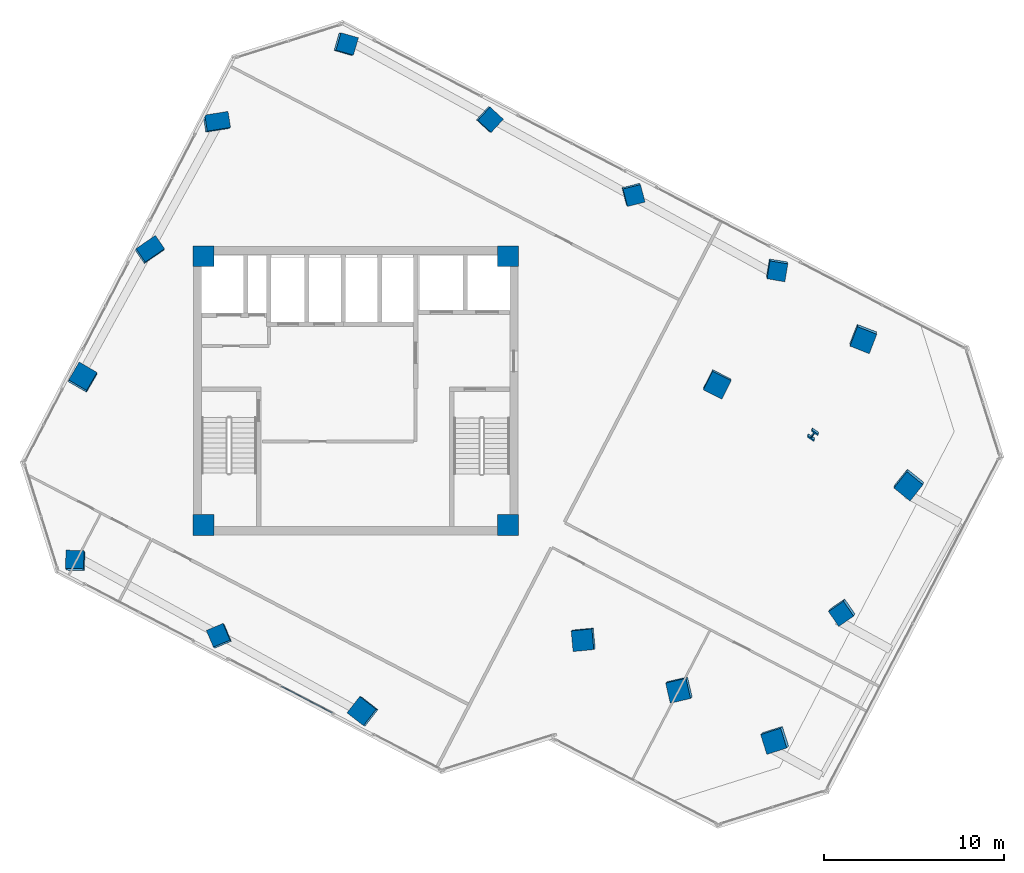
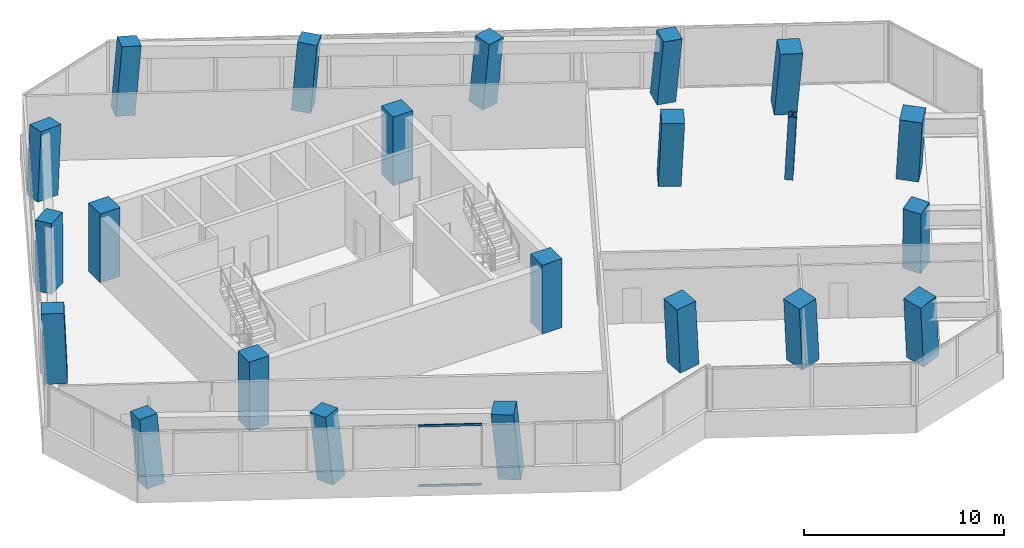
# One storey, part 1 of 22: 22 columns, 2 members, 1 element without a shape of its own.
"""IFC4 building model written with IfcOpenShell, lengths in metres."""

from ifc_helpers import new_model, si_unit, direction, frame, origin, origin_2d, place, context, subcontext, project, spatial, rectangle, hollow_rectangle, i_section, extrude, clip, halfspace, source, transform, mapped, material, material_profile, profile_set, type_object, element, aggregate, save


model = new_model("IFC4")

# Units and contexts
model_context = context("Model", 3, precision=1e-05, world=origin(), true_north=direction((0.0, 1.0)))
body_context = subcontext(model_context, "Body", "Model", "MODEL_VIEW")
ifc_project = project(units=[si_unit("LENGTHUNIT", "METRE"), si_unit("AREAUNIT", "SQUARE_METRE"), si_unit("VOLUMEUNIT", "CUBIC_METRE"), si_unit("PLANEANGLEUNIT", "RADIAN"), si_unit("MASSUNIT", "GRAM", prefix="KILO")], contexts=[model_context])

# Site, building, storey
site_placement = place(None, origin())
site = spatial("IfcSite", under=ifc_project, at=site_placement, CompositionType="ELEMENT")
building_placement = place(site_placement, origin())
building = spatial("IfcBuilding", under=site, at=building_placement, Name="Torre Montelarca", CompositionType="ELEMENT")
storey_placement = place(building_placement, frame((0.0, 0.0, 170.800048828125)))
storey = spatial("IfcBuildingStorey", under=building, at=storey_placement, Name="L38", CompositionType="ELEMENT", Elevation=170.800048828125)

# Columns
ifc_material_1 = material(Name="Concrete C55/67", Category="concrete")
ifc_material_profile_1 = material_profile(ifc_material_1, rectangle(XDim=0.89990234375, YDim=1.300048828125, at=origin_2d()), Name="RC1300X900", Category="concrete")
ifc_profile_set_1 = profile_set([ifc_material_profile_1], Name="Concrete C55/67")
column_type_1 = type_object("IfcColumnType", Name="COL-PIL1300-EXT", PredefinedType="PILASTER", material=ifc_profile_set_1)
column_1_placement = place(storey_placement, frame((6.553955078125, 39.780517578125, 0.0), z_axis=(0.041114649956, 0.076901767806, 0.996190596054), x_axis=(0.565354465492, -0.823864675039, 0.040265687261)))
element("IfcColumn", 1, at=column_1_placement, inside=storey, type_object=column_type_1, Name="L38 Column 1W/E", PredefinedType="PILASTER", context=body_context, shape_type="Clipping", body=[
    clip(clip(extrude(rectangle(XDim=0.89990234375, YDim=1.300048828125, at=origin_2d()), origin(), (0.0, 0.0, 1.0), 4.216064453125), halfspace(frame((0.0, 0.0, 0.0693359375), z_axis=(0.0, 0.0, -1.0), x_axis=(1.0, 0.0, 0.0)), False)), halfspace(frame((0.0, 0.0, 4.146728515625), z_axis=(0.0, 0.0, 1.0), x_axis=(1.0, 0.0, 0.0)), False)),
])
column_2_placement = place(storey_placement, frame((10.247802734375, 46.876708984375, 0.0), z_axis=(0.077588163399, 0.057279852174, 0.995338683783), x_axis=(0.157076232166, -0.986581975739, 0.044531589179)))
element("IfcColumn", 2, at=column_2_placement, inside=storey, type_object=column_type_1, Name="L38 Column 1W/F", PredefinedType="PILASTER", context=body_context, shape_type="Clipping", body=[
    clip(clip(extrude(rectangle(XDim=0.89990234375, YDim=1.300048828125, at=origin_2d()), origin(), (0.0, 0.0, 1.0), 4.2197265625), halfspace(frame((0.0, 0.0, 0.07666015625), z_axis=(0.0, 0.0, -1.0), x_axis=(1.0, 0.0, 0.0)), False)), halfspace(frame((0.0, 0.0, 4.14306640625), z_axis=(0.0, 0.0, 1.0), x_axis=(1.0, 0.0, 0.0)), False)),
])
ifc_material_profile_2 = material_profile(ifc_material_1, rectangle(XDim=1.0, YDim=1.0, at=origin_2d()), Name="RC1000X1000", Category="concrete")
ifc_profile_set_2 = profile_set([ifc_material_profile_2], Name="Concrete C55/67")
column_type_2 = type_object("IfcColumnType", Name="COL-RC1000-EXT", PredefinedType="COLUMN", material=ifc_profile_set_2)
column_3_placement = place(storey_placement, frame((2.47021484375, 22.515380859375, 0.0), z_axis=(-0.04789818408, 0.098743059821, 0.993959542486), x_axis=(0.998381539794, -0.025812536987, 0.050675575318)))
element("IfcColumn", 3, at=column_3_placement, inside=storey, type_object=column_type_2, Name="L38 Column 2/CS", PredefinedType="COLUMN", context=body_context, shape_type="Clipping", body=[
    clip(clip(extrude(rectangle(XDim=1.0, YDim=1.0, at=origin_2d()), origin(), (0.0, 0.0, 1.0), 4.2255859375), halfspace(frame((0.0, 0.0, 0.0751953125), z_axis=(0.0, 0.0, -1.0), x_axis=(1.0, 0.0, 0.0)), False)), halfspace(frame((0.0, 0.0, 4.150390625), z_axis=(0.0, 0.0, 1.0), x_axis=(1.0, 0.0, 0.0)), False)),
])
column_4_placement = place(storey_placement, frame((17.407958984375, 51.210205078125, 0.0), z_axis=(0.099466506069, 0.020066789306, 0.994838548779), x_axis=(-0.274877965566, -0.960336826175, 0.046853861504)))
element("IfcColumn", 4, at=column_4_placement, inside=storey, type_object=column_type_2, Name="L38 Column 2/GN", PredefinedType="COLUMN", context=body_context, shape_type="Clipping", body=[
    clip(clip(extrude(rectangle(XDim=1.0, YDim=1.0, at=origin_2d()), origin(), (0.0, 0.0, 1.0), 4.2216796875), halfspace(frame((0.0, 0.0, 0.069580078125), z_axis=(0.0, 0.0, -1.0), x_axis=(1.0, 0.0, 0.0)), False)), halfspace(frame((0.0, 0.0, 4.152099609375), z_axis=(0.0, 0.0, 1.0), x_axis=(1.0, 0.0, 0.0)), False)),
])
column_5_placement = place(storey_placement, frame((10.453369140625, 18.359619140625, 0.0), z_axis=(-0.069930353767, 0.057889365701, 0.995870758161), x_axis=(0.919841956587, 0.390043080031, 0.041918619051)))
element("IfcColumn", 5, at=column_5_placement, inside=storey, type_object=column_type_2, Name="L38 Column 3/CS", PredefinedType="COLUMN", context=body_context, shape_type="Clipping", body=[
    clip(clip(extrude(rectangle(XDim=1.0, YDim=1.0, at=origin_2d()), origin(), (0.0, 0.0, 1.0), 4.21728515625), halfspace(frame((0.0, 0.0, 0.062255859375), z_axis=(0.0, 0.0, -1.0), x_axis=(1.0, 0.0, 0.0)), False)), halfspace(frame((0.0, 0.0, 4.155029296875), z_axis=(0.0, 0.0, 1.0), x_axis=(1.0, 0.0, 0.0)), False)),
])
column_6_placement = place(storey_placement, frame((25.39111328125, 47.05419921875, 0.0), z_axis=(0.07769866338, -0.020974583254, 0.996756231265), x_axis=(-0.675517121547, -0.736407253152, 0.037161485459)))
element("IfcColumn", 6, at=column_6_placement, inside=storey, type_object=column_type_2, Name="L38 Column 3/GN", PredefinedType="COLUMN", context=body_context, shape_type="Clipping", body=[
    clip(clip(extrude(rectangle(XDim=1.0, YDim=1.0, at=origin_2d()), origin(), (0.0, 0.0, 1.0), 4.213623046875), halfspace(frame((0.0, 0.0, 0.05517578125), z_axis=(0.0, 0.0, -1.0), x_axis=(1.0, 0.0, 0.0)), False)), halfspace(frame((0.0, 0.0, 4.158447265625), z_axis=(0.0, 0.0, 1.0), x_axis=(1.0, 0.0, 0.0)), False)),
])
column_7_placement = place(storey_placement, frame((33.3740234375, 42.898681640625, 0.0), z_axis=(0.055725496021, -0.062097434235, 0.996513210025), x_axis=(-0.96748864065, -0.2499629432, 0.038526059245)))
element("IfcColumn", 7, at=column_7_placement, inside=storey, type_object=column_type_2, Name="L38 Column 4/GN", PredefinedType="COLUMN", context=body_context, shape_type="Clipping", body=[
    clip(clip(extrude(rectangle(XDim=1.0, YDim=1.0, at=origin_2d()), origin(), (0.0, 0.0, 1.0), 4.214599609375), halfspace(frame((0.0, 0.0, 0.05712890625), z_axis=(0.0, 0.0, -1.0), x_axis=(1.0, 0.0, 0.0)), False)), halfspace(frame((0.0, 0.0, 4.157470703125), z_axis=(0.0, 0.0, 1.0), x_axis=(1.0, 0.0, 0.0)), False)),
])
column_8_placement = place(storey_placement, frame((41.357177734375, 38.742919921875, 0.0), z_axis=(0.03369013316, -0.102919600613, 0.994118972124), x_axis=(-0.985800109139, 0.160305053579, 0.050004345989)))
element("IfcColumn", 8, at=column_8_placement, inside=storey, type_object=column_type_2, Name="L38 Column 5/GN", PredefinedType="COLUMN", context=body_context, shape_type="Clipping", body=[
    clip(clip(extrude(rectangle(XDim=1.0, YDim=1.0, at=origin_2d()), origin(), (0.0, 0.0, 1.0), 4.224853515625), halfspace(frame((0.0, 0.0, 0.07421875), z_axis=(0.0, 0.0, -1.0), x_axis=(1.0, 0.0, 0.0)), False)), halfspace(frame((0.0, 0.0, 4.150634765625), z_axis=(0.0, 0.0, 1.0), x_axis=(1.0, 0.0, 0.0)), False)),
])
column_9_placement = place(storey_placement, frame((45.005859375, 19.763671875, 0.0), z_axis=(-0.064266651726, -0.120240832262, 0.990662374239), x_axis=(-0.566657550047, 0.821544902927, 0.062953899405)))
element("IfcColumn", 9, at=column_9_placement, inside=storey, type_object=column_type_2, Name="L38 Column 7/E", PredefinedType="COLUMN", context=body_context, shape_type="Clipping", body=[
    clip(clip(extrude(rectangle(XDim=1.0, YDim=1.0, at=origin_2d()), origin(), (0.0, 0.0, 1.0), 4.239501953125), halfspace(frame((0.0, 0.0, 0.093505859375), z_axis=(0.0, 0.0, -1.0), x_axis=(1.0, 0.0, 0.0)), False)), halfspace(frame((0.0, 0.0, 4.14599609375), z_axis=(0.0, 0.0, 1.0), x_axis=(1.0, 0.0, 0.0)), False)),
])
ifc_material_profile_3 = material_profile(ifc_material_1, rectangle(XDim=1.14990234375, YDim=1.14990234375, at=origin_2d()), Name="RC1150X1150", Category="concrete")
ifc_profile_set_3 = profile_set([ifc_material_profile_3], Name="Concrete C55/67")
column_type_3 = type_object("IfcColumnType", Name="COL-RC1150", PredefinedType="COLUMN", material=ifc_profile_set_3)
column_10_placement = place(storey_placement, frame((30.667724609375, 18.20849609375, 0.0), z_axis=(-0.071930787685, -0.046679722121, 0.996316699311), x_axis=(-0.096954290528, 0.99450093611, 0.039594868666)))
element("IfcColumn", 10, at=column_10_placement, inside=storey, type_object=column_type_3, Name="L38 Column 5/D", PredefinedType="COLUMN", context=body_context, shape_type="Clipping", body=[
    clip(clip(extrude(rectangle(XDim=1.14990234375, YDim=1.14990234375, at=origin_2d()), origin(), (0.0, 0.0, 1.0), 4.215576171875), halfspace(frame((0.0, 0.0, 0.0673828125), z_axis=(0.0, 0.0, -1.0), x_axis=(1.0, 0.0, 0.0)), False)), halfspace(frame((0.0, 0.0, 4.148193359375), z_axis=(0.0, 0.0, 1.0), x_axis=(1.0, 0.0, 0.0)), False)),
])
column_11_placement = place(storey_placement, frame((38.0556640625, 32.400634765625, 0.0), z_axis=(0.001100398588, -0.085657342736, 0.996324048068), x_axis=(-0.892847218174, 0.44861923, 0.039555422793)))
element("IfcColumn", 11, at=column_11_placement, inside=storey, type_object=column_type_3, Name="L38 Column 5/F", PredefinedType="COLUMN", context=body_context, shape_type="Clipping", body=[
    clip(clip(extrude(rectangle(XDim=1.14990234375, YDim=1.14990234375, at=origin_2d()), origin(), (0.0, 0.0, 1.0), 4.21533203125), halfspace(frame((0.0, 0.0, 0.0673828125), z_axis=(0.0, 0.0, -1.0), x_axis=(1.0, 0.0, 0.0)), False)), halfspace(frame((0.0, 0.0, 4.14794921875), z_axis=(0.0, 0.0, 1.0), x_axis=(1.0, 0.0, 0.0)), False)),
])
column_12_placement = place(storey_placement, frame((35.98974609375, 15.43798828125, 0.0), z_axis=(-0.086283669312, -0.073808921942, 0.993532773215), x_axis=(-0.227975249338, 0.972254300779, 0.052429574719)))
element("IfcColumn", 12, at=column_12_placement, inside=storey, type_object=column_type_3, Name="L38 Column 6/D", PredefinedType="COLUMN", context=body_context, shape_type="Clipping", body=[
    clip(clip(extrude(rectangle(XDim=1.14990234375, YDim=1.14990234375, at=origin_2d()), origin(), (0.0, 0.0, 1.0), 4.227294921875), halfspace(frame((0.0, 0.0, 0.08935546875), z_axis=(0.0, 0.0, -1.0), x_axis=(1.0, 0.0, 0.0)), False)), halfspace(frame((0.0, 0.0, 4.137939453125), z_axis=(0.0, 0.0, 1.0), x_axis=(1.0, 0.0, 0.0)), False)),
])
column_13_placement = place(storey_placement, frame((46.148193359375, 34.952392578125, 0.0), z_axis=(0.013836421614, -0.127179775337, 0.991783170951), x_axis=(-0.931338098159, 0.359332565542, 0.05907160281)))
element("IfcColumn", 13, at=column_13_placement, inside=storey, type_object=column_type_3, Name="L38 Column 6/G", PredefinedType="COLUMN", context=body_context, shape_type="Clipping", body=[
    clip(clip(extrude(rectangle(XDim=1.14990234375, YDim=1.14990234375, at=origin_2d()), origin(), (0.0, 0.0, 1.0), 4.23486328125), halfspace(frame((0.0, 0.0, 0.100830078125), z_axis=(0.0, 0.0, -1.0), x_axis=(1.0, 0.0, 0.0)), False)), halfspace(frame((0.0, 0.0, 4.134033203125), z_axis=(0.0, 0.0, 1.0), x_axis=(1.0, 0.0, 0.0)), False)),
])
ifc_material_profile_4 = material_profile(ifc_material_1, rectangle(XDim=1.14990234375, YDim=1.14990234375, at=origin_2d()), Name="RC1150X1150", Category="concrete")
ifc_profile_set_4 = profile_set([ifc_material_profile_4], Name="Concrete C55/67")
column_type_4 = type_object("IfcColumnType", Name="COL-RC1150-EXT", PredefinedType="COLUMN", material=ifc_profile_set_4)
column_14_placement = place(storey_placement, frame((18.4365234375, 14.203857421875, 0.0), z_axis=(-0.091848266599, 0.016841742647, 0.995630579898), x_axis=(0.612171305094, 0.789548693959, 0.043117897532)))
element("IfcColumn", 14, at=column_14_placement, inside=storey, type_object=column_type_4, Name="L38 Column 4/CS", PredefinedType="COLUMN", context=body_context, shape_type="Clipping", body=[
    clip(clip(extrude(rectangle(XDim=1.14990234375, YDim=1.14990234375, at=origin_2d()), origin(), (0.0, 0.0, 1.0), 4.21826171875), halfspace(frame((0.0, 0.0, 0.073486328125), z_axis=(0.0, 0.0, -1.0), x_axis=(1.0, 0.0, 0.0)), False)), halfspace(frame((0.0, 0.0, 4.144775390625), z_axis=(0.0, 0.0, 1.0), x_axis=(1.0, 0.0, 0.0)), False)),
])
for number, where, z_axis, x_axis, name in (
    (15, (41.311767578125, 12.66748046875, 0.0), (-0.100518365868, -0.100748516677, 0.989821092173), (-0.305115855174, 0.950045198756, 0.065714802304), "L38 Column 7/D"),
    (16, (48.69970703125, 26.859619140625, 0.0), (-0.027905885377, -0.139529426887, 0.989824631232), (-0.780150773, 0.622131682142, 0.065703435697), "L38 Column 7/F"),
):
    element("IfcColumn", number, at=place(storey_placement, frame(where, z_axis=z_axis, x_axis=x_axis)), inside=storey, type_object=column_type_4, Name=name, PredefinedType="COLUMN", context=body_context, shape_type="Clipping", body=[
        clip(clip(extrude(rectangle(XDim=1.14990234375, YDim=1.14990234375, at=origin_2d()), origin(), (0.0, 0.0, 1.0), 4.2431640625), halfspace(frame((0.0, 0.0, 0.1123046875), z_axis=(0.0, 0.0, -1.0), x_axis=(1.0, 0.0, 0.0)), False)), halfspace(frame((0.0, 0.0, 4.130859375), z_axis=(0.0, 0.0, 1.0), x_axis=(1.0, 0.0, 0.0)), False)),
    ])
column_15_placement = place(storey_placement, frame((2.85986328125, 32.684326171875, 0.0), z_axis=(0.004570815836, 0.096334283132, 0.995338542173), x_axis=(0.864231908447, -0.501118834093, 0.044532264024)))
element("IfcColumn", 17, at=column_15_placement, inside=storey, type_object=column_type_4, Name="L38 Column 1W/D", PredefinedType="COLUMN", context=body_context, shape_type="Clipping", body=[
    clip(clip(extrude(rectangle(XDim=1.14990234375, YDim=1.14990234375, at=origin_2d()), origin(), (0.0, 0.0, 1.0), 4.2197265625), halfspace(frame((0.0, 0.0, 0.075927734375), z_axis=(0.0, 0.0, -1.0), x_axis=(1.0, 0.0, 0.0)), False)), halfspace(frame((0.0, 0.0, 4.143798828125), z_axis=(0.0, 0.0, 1.0), x_axis=(1.0, 0.0, 0.0)), False)),
])
ifc_material_2 = material(Name="Steel ASTM A992 Grade 50", Category="steel")
ifc_material_profile_5 = material_profile(ifc_material_2, i_section(OverallWidth=0.4208984375, OverallDepth=0.465087890625, WebThickness=0.044921875, FlangeThickness=0.072265625, FilletRadius=0.014892578125, at=origin_2d()), Name="W360X592", Category="steel")
ifc_profile_set_5 = profile_set([ifc_material_profile_5], Name="Steel ASTM A992 Grade 50")
column_type_5 = type_object("IfcColumnType", Name="COL-W360X592", PredefinedType="COLUMN", material=ifc_profile_set_5)
column_16_placement = place(storey_placement, frame((43.377685546875, 29.630126953125, 0.0), z_axis=(-0.013456572507, -0.112734890699, 0.993533977816), x_axis=(-0.826384390442, 0.560660761315, 0.052424707499)))
element("IfcColumn", 18, at=column_16_placement, inside=storey, type_object=column_type_5, Name="L38 Column 6/F", PredefinedType="COLUMN", context=body_context, shape_type="Clipping", body=[
    clip(clip(extrude(i_section(OverallWidth=0.4208984375, OverallDepth=0.465087890625, WebThickness=0.044921875, FlangeThickness=0.072265625, FilletRadius=0.014892578125, at=origin_2d()), origin(), (0.0, 0.0, 1.0), 4.227294921875), halfspace(frame((0.0, 0.0, 0.035400390625), z_axis=(0.0, 0.0, -1.0), x_axis=(1.0, 0.0, 0.0)), False)), halfspace(frame((0.0, 0.0, 4.19189453125), z_axis=(0.0, 0.0, 1.0), x_axis=(1.0, 0.0, 0.0)), False)),
])
shared_shape_1 = source(origin(), body_context, "Body", "SweptSolid", [
    extrude(rectangle(XDim=1.14990234375, YDim=1.14990234375, at=origin_2d()), origin(), (0.0, 0.0, 1.0), 4.198486328125),
])
for number, where, z_axis, x_axis, name in (
    (19, (9.550048828125, 24.550048828125, 0.000732421875), (0.0, 0.0, 1.0), (1.0, 0.0, 0.0), "L38 Plumb Core Corner Column 2D"),
    (20, (26.449951171875, 24.550048828125, 0.000732421875), (0.0, 0.0, 1.0), (1.0, 0.0, 0.0), "L38 Plumb Core Corner Column 4D"),
    (21, (9.550048828125, 39.449951171875, 0.000732421875), (0.0, 0.0, 1.0), (1.0, 0.0, 0.0), "L38 Plumb Core Corner Column 2F"),
    (22, (26.449951171875, 39.449951171875, 0.000732421875), (0.0, 0.0, 1.0), (1.0, 0.0, 0.0), "L38 Plumb Core Corner Column 4F"),
):
    element("IfcColumn", number, at=place(storey_placement, frame(where, z_axis=z_axis, x_axis=x_axis)), inside=storey, type_object=column_type_3, Name=name, PredefinedType="COLUMN", context=body_context, shape_type="MappedRepresentation", body=[
        mapped(shared_shape_1, transform((0.0, 0.0, 0.0), scale=1.0)),
    ])

# Curtain wall, members
ifc_material_3 = material(Name="Insulated low-E laminated glass", Category="glass")
curtain_wall_type = type_object("IfcCurtainWallType", Name="CW-SYS-Z2", PredefinedType="USERDEFINED", material=ifc_material_3)
curtain_wall_placement = place(storey_placement, origin())
curtain_wall = element("IfcCurtainWall", 23, at=curtain_wall_placement, inside=storey, type_object=curtain_wall_type, Name="L38 Curtain Wall Run CW-T3-L38-E01-B2", ObjectType="UNITISED GLAZING", PredefinedType="USERDEFINED")
ifc_material_4 = material(Name="Anodised aluminium AA 6063-T6", Category="aluminium")
ifc_material_profile_6 = material_profile(ifc_material_4, hollow_rectangle(XDim=0.06494140625, YDim=0.139892578125, WallThickness=0.00390625, InnerFilletRadius=0.00390625, OuterFilletRadius=0.008056640625, at=origin_2d()), Name="ALU65X140X4", Category="aluminium")
ifc_profile_set_6 = profile_set([ifc_material_profile_6], Name="Anodised aluminium AA 6063-T6")
member_type = type_object("IfcMemberType", Name="CWT-ALU140", PredefinedType="USERDEFINED", material=ifc_profile_set_6)
shared_shape_2 = source(origin(), body_context, "Body", "SweptSolid", [
    extrude(hollow_rectangle(XDim=0.06494140625, YDim=0.139892578125, WallThickness=0.00390625, InnerFilletRadius=0.00390625, OuterFilletRadius=0.008056640625, at=origin_2d()), origin(), (0.0, 0.0, 1.0), 3.196533203125),
])
member_1_placement = place(storey_placement, frame((13.871826171875, 15.59912109375, 0.032470703125), z_axis=(0.887006632899, -0.461756681807, 0.0), x_axis=(0.461756681807, 0.887006632899, 0.0)))
member_1 = element("IfcMember", 24, at=member_1_placement, type_object=member_type, Name="CW transom 2.1", ObjectType="TRANSOM", PredefinedType="USERDEFINED", context=body_context, shape_type="MappedRepresentation", body=[
    mapped(shared_shape_2, transform((0.0, 0.0, 0.0), scale=1.0)),
])
member_2_placement = place(storey_placement, frame((13.871826171875, 15.59912109375, 3.6875), z_axis=(0.887006632899, -0.461756681807, 0.0), x_axis=(0.461756681807, 0.887006632899, 0.0)))
member_2 = element("IfcMember", 25, at=member_2_placement, type_object=member_type, Name="CW transom 2.2", ObjectType="TRANSOM", PredefinedType="USERDEFINED", context=body_context, shape_type="MappedRepresentation", body=[
    mapped(shared_shape_2, transform((0.0, 0.0, 0.0), scale=1.0)),
])
aggregate(curtain_wall, [member_1, member_2])

save(model, "model.ifc")
